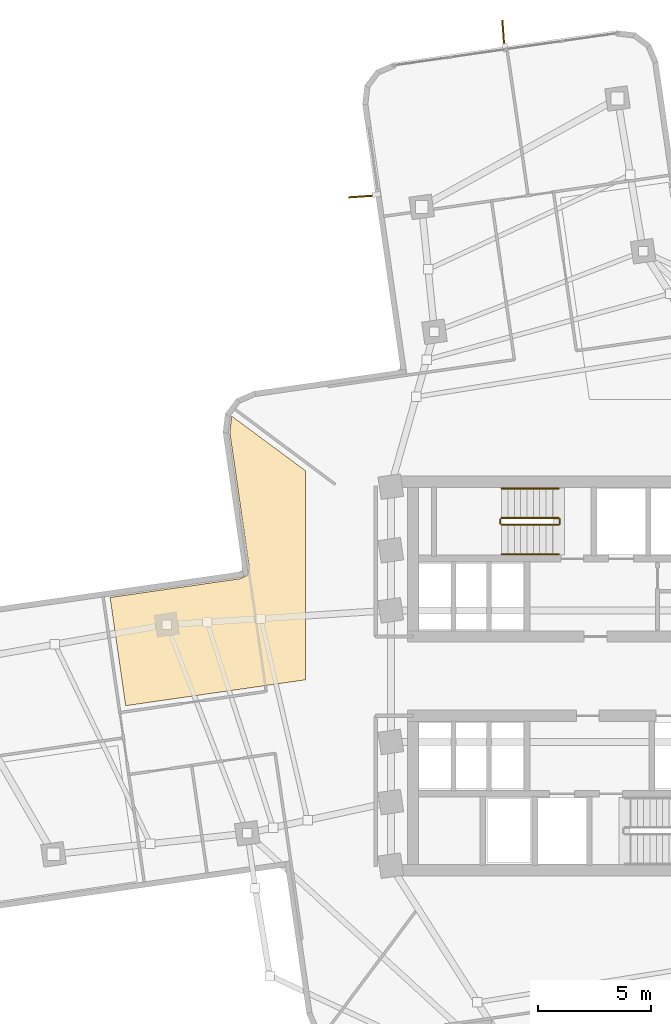
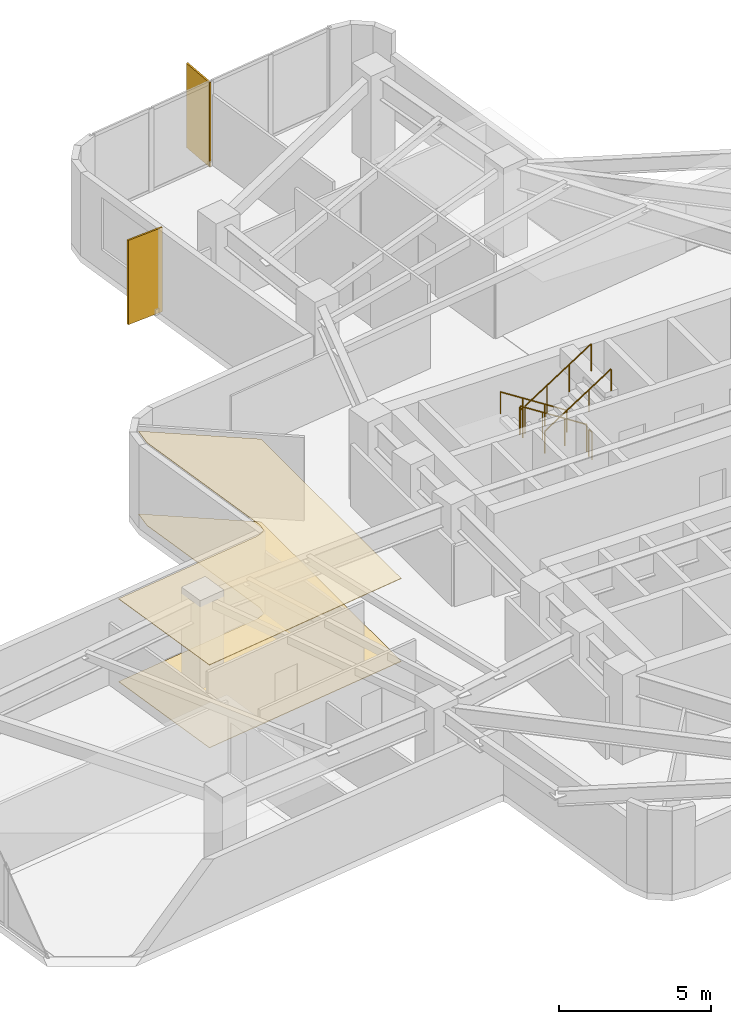
# One storey, part 12 of 13: 6 railings, 2 coverings, 2 shading devices.
"""IFC4 building model written with IfcOpenShell, lengths in metres."""

from ifc_helpers import new_model, si_unit, direction, frame, origin, origin_2d, place, context, subcontext, project, spatial, polyline, rectangle, circle, outline, extrude, material, layer, layer_set, type_object, element, save


model = new_model("IFC4")

# Units and contexts
model_context = context("Model", 3, precision=1e-05, world=origin(), true_north=direction((0.0, 1.0)))
body_context = subcontext(model_context, "Body", "Model", "MODEL_VIEW")
ifc_project = project(units=[si_unit("LENGTHUNIT", "METRE"), si_unit("AREAUNIT", "SQUARE_METRE"), si_unit("VOLUMEUNIT", "CUBIC_METRE"), si_unit("PLANEANGLEUNIT", "RADIAN"), si_unit("MASSUNIT", "GRAM", prefix="KILO")], contexts=[model_context])

# Site, building, storey
site_placement = place(None, origin())
site = spatial("IfcSite", under=ifc_project, at=site_placement, CompositionType="ELEMENT")
building_placement = place(site_placement, origin())
building = spatial("IfcBuilding", under=site, at=building_placement, Name="Solmarez Civic Tower", CompositionType="ELEMENT")
storey_placement = place(building_placement, frame((0.0, 0.0, 89.280029296875)))
storey = spatial("IfcBuildingStorey", under=building, at=storey_placement, Name="L23", CompositionType="ELEMENT", Elevation=89.280029296875)

# Coverings
ifc_material_1 = material(Name="Perforated Mineral-Fibre Acoustic Ceiling")
ifc_layer_1 = layer(ifc_material_1, 0.02490234375)
ifc_layer_set_1 = layer_set([ifc_layer_1], Name="Perforated Mineral-Fibre Acoustic Ceiling")
covering_type_1 = type_object("IfcCoveringType", Name="COV-CEIL-ACOUSTIC", PredefinedType="CEILING", material=ifc_layer_set_1)
covering_1_placement = place(storey_placement, frame((0.0, 0.0, 3.31494140625)))
element("IfcCovering", 1, at=covering_1_placement, inside=storey, type_object=covering_type_1, Name="L23 Suspended Acoustic Ceiling 3", PredefinedType="CEILING", context=body_context, shape_type="SweptSolid", body=[
    extrude(outline(polyline([(-15.1630859375, 4.492919921875), (-15.173095703125, 4.47607421875), (-15.18505859375, 4.4609375), (-15.197998046875, 4.446044921875), (-15.202880859375, 4.44091796875), (-15.218017578125, 4.427978515625), (-15.22412109375, 4.423095703125), (-15.22998046875, 4.41796875), (-15.2490234375, 4.404052734375), (-15.2548828125, 4.39990234375), (-15.27197265625, 4.389892578125), (-15.2900390625, 4.381103515625), (-15.297119140625, 4.3779296875), (-15.455078125, 4.31005859375), (-15.48193359375, 4.300048828125), (-15.491943359375, 4.297119140625), (-15.510986328125, 4.2919921875), (-15.531005859375, 4.2880859375), (-21.221923828125, 3.468994140625), (-20.534912109375, -1.302001953125), (-12.60009765625, -0.158935546875), (-12.60009765625, 9.044921875), (-15.85791015625, 11.455078125), (-15.862060546875, 11.449951171875), (-15.946044921875, 10.74609375), (-15.097900390625, 4.866943359375), (-15.096923828125, 4.85302734375), (-15.094970703125, 4.83203125), (-15.094970703125, 4.81201171875), (-15.097900390625, 4.787109375), (-15.116943359375, 4.617919921875), (-15.123046875, 4.591064453125), (-15.125, 4.5830078125), (-15.1259765625, 4.575927734375), (-15.1279296875, 4.569091796875), (-15.1298828125, 4.56201171875), (-15.138916015625, 4.537109375), (-15.15087890625, 4.512939453125), (-15.155029296875, 4.506103515625), (-15.1630859375, 4.492919921875)])), origin(), (0.0, 0.0, 1.0), 0.025146484375),
])
ifc_material_2 = material(Name="Polished Tropical Stone Terrazzo Flooring", Category="masonry")
ifc_layer_2 = layer(ifc_material_2, 0.02001953125)
ifc_layer_set_2 = layer_set([ifc_layer_2], Name="Polished Tropical Stone Terrazzo Flooring")
covering_type_2 = type_object("IfcCoveringType", Name="COV-FLOOR-TERRAZZO", PredefinedType="FLOORING", material=ifc_layer_set_2)
covering_2_placement = place(storey_placement, origin())
element("IfcCovering", 2, at=covering_2_placement, inside=storey, type_object=covering_type_2, Name="L23 Terrazzo Floor Finish 3", PredefinedType="FLOORING", context=body_context, shape_type="SweptSolid", body=[
    extrude(outline(polyline([(-15.1630859375, 4.492919921875), (-15.173095703125, 4.47607421875), (-15.18505859375, 4.4609375), (-15.197998046875, 4.446044921875), (-15.202880859375, 4.44091796875), (-15.218017578125, 4.427978515625), (-15.22412109375, 4.423095703125), (-15.22998046875, 4.41796875), (-15.2490234375, 4.404052734375), (-15.2548828125, 4.39990234375), (-15.27197265625, 4.389892578125), (-15.2900390625, 4.381103515625), (-15.297119140625, 4.3779296875), (-15.455078125, 4.31005859375), (-15.48193359375, 4.300048828125), (-15.491943359375, 4.297119140625), (-15.510986328125, 4.2919921875), (-15.531005859375, 4.2880859375), (-21.221923828125, 3.468994140625), (-20.534912109375, -1.302001953125), (-12.60009765625, -0.158935546875), (-12.60009765625, 9.044921875), (-15.85791015625, 11.455078125), (-15.862060546875, 11.449951171875), (-15.946044921875, 10.74609375), (-15.097900390625, 4.866943359375), (-15.096923828125, 4.85302734375), (-15.094970703125, 4.83203125), (-15.094970703125, 4.81201171875), (-15.097900390625, 4.787109375), (-15.116943359375, 4.617919921875), (-15.123046875, 4.591064453125), (-15.125, 4.5830078125), (-15.1259765625, 4.575927734375), (-15.1279296875, 4.569091796875), (-15.1298828125, 4.56201171875), (-15.138916015625, 4.537109375), (-15.15087890625, 4.512939453125), (-15.155029296875, 4.506103515625), (-15.1630859375, 4.492919921875)])), origin(), (0.0, 0.0, 1.0), 0.02001953125),
])

# Shading devices
ifc_material_3 = material(Name="Bronze Anodised Aluminium EN AW-6063 T6", Category="aluminium")
ifc_layer_3 = layer(ifc_material_3, 0.06494140625)
ifc_layer_set_3 = layer_set([ifc_layer_3], Name="Bronze Anodised Aluminium EN AW-6063 T6")
shading_device_type = type_object("IfcShadingDeviceType", Name="FIN-BRONZE-Z12", PredefinedType="USERDEFINED", material=ifc_layer_set_3)
for number, where, z_axis, x_axis, name in (
    (3, (-10.02294921875, 21.14697265625, -0.0400390625), (0.0, 0.0, 1.0), (-0.997526162365, -0.0702961976, 0.0), "L23 Anodised Bronze Solar Fin FIN-L23-03"),
    (4, (-3.887939453125, 28.239990234375, -0.0400390625), (0.0, 0.0, 1.0), (-0.0702961976, 0.997526162365, 0.0), "L23 Anodised Bronze Solar Fin FIN-L23-04"),
):
    element("IfcShadingDevice", number, at=place(storey_placement, frame(where, z_axis=z_axis, x_axis=x_axis)), inside=storey, type_object=shading_device_type, Name=name, ObjectType="FIN", PredefinedType="USERDEFINED", context=body_context, shape_type="SweptSolid", body=[
        extrude(rectangle(XDim=1.35009765625, YDim=0.06494140625, at=origin_2d()), origin(), (0.0, 0.0, 1.0), 3.3798828125),
    ])

# Railings
ifc_material_4 = material(Name="Painted Steel Stairwell Safety Guard", Category="steel")
railing_type_1 = type_object("IfcRailingType", Name="GUARD-STAIR-1120", PredefinedType="BALUSTRADE", material=ifc_material_4)
railing_1_placement = place(storey_placement, frame((-1.449951171875, 6.969970703125, 0.179931640625)))
element("IfcRailing", 5, at=railing_1_placement, inside=storey, type_object=railing_type_1, Name="L23 ST-1 stair guard 1", PredefinedType="BALUSTRADE", context=body_context, shape_type="SweptSolid", body=[
    extrude(circle(Radius=0.02392578125, at=origin_2d()), frame((0.0, 0.0, 1.09619140625), z_axis=(-0.841162588446, 0.0, 0.540782303519), x_axis=(0.0, -1.0, 0.0)), (0.0, 0.0, 1.0), 2.995849609375),
    extrude(circle(Radius=0.02099609375, at=origin_2d()), origin(), (0.0, 0.0, 1.0), 1.072021484375),
    extrude(circle(Radius=0.02099609375, at=origin_2d()), frame((-0.840087890625, 0.0, 0.5400390625)), (0.0, 0.0, 1.0), 1.072021484375),
    extrude(circle(Radius=0.02099609375, at=origin_2d()), frame((-1.679931640625, 0.0, 1.080078125)), (0.0, 0.0, 1.0), 1.072021484375),
    extrude(circle(Radius=0.02099609375, at=origin_2d()), frame((-2.52001953125, 0.0, 1.6201171875)), (0.0, 0.0, 1.0), 1.072021484375),
])
railing_2_placement = place(storey_placement, frame((-4.02001953125, 6.919921875, 1.800048828125)))
element("IfcRailing", 6, at=railing_2_placement, inside=storey, type_object=railing_type_1, Name="L23 ST-1 stair guard 2", PredefinedType="BALUSTRADE", context=body_context, shape_type="SweptSolid", body=[
    extrude(circle(Radius=0.02392578125, at=origin_2d()), frame((0.0, 0.0, 1.09619140625), z_axis=(0.0, -1.0, 0.0), x_axis=(1.0, 0.0, 0.0)), (0.0, 0.0, 1.0), 0.199951171875),
    extrude(circle(Radius=0.02099609375, at=origin_2d()), origin(), (0.0, 0.0, 1.0), 1.072021484375),
    extrude(circle(Radius=0.02099609375, at=origin_2d()), frame((0.0, -0.199951171875, 0.0)), (0.0, 0.0, 1.0), 1.072021484375),
])
railing_3_placement = place(storey_placement, frame((-3.969970703125, 6.669921875, 1.97998046875)))
element("IfcRailing", 7, at=railing_3_placement, inside=storey, type_object=railing_type_1, Name="L23 ST-1 stair guard 3", PredefinedType="BALUSTRADE", context=body_context, shape_type="SweptSolid", body=[
    extrude(circle(Radius=0.02392578125, at=origin_2d()), frame((0.0, 0.0, 1.09619140625), z_axis=(0.841199657755, 0.0, 0.540724639528), x_axis=(0.0, 1.0, 0.0)), (0.0, 0.0, 1.0), 2.995849609375),
    extrude(circle(Radius=0.02099609375, at=origin_2d()), origin(), (0.0, 0.0, 1.0), 1.072021484375),
    extrude(circle(Radius=0.02099609375, at=origin_2d()), frame((0.840087890625, 0.0, 0.5400390625)), (0.0, 0.0, 1.0), 1.072021484375),
    extrude(circle(Radius=0.02099609375, at=origin_2d()), frame((1.679931640625, 0.0, 1.079833984375)), (0.0, 0.0, 1.0), 1.072021484375),
    extrude(circle(Radius=0.02099609375, at=origin_2d()), frame((2.52001953125, 0.0, 1.619873046875)), (0.0, 0.0, 1.0), 1.072021484375),
])
railing_4_placement = place(storey_placement, frame((-1.39990234375, 6.919921875, 0.0)))
element("IfcRailing", 8, at=railing_4_placement, inside=storey, type_object=railing_type_1, Name="L23 ST-1 stair guard 4", PredefinedType="BALUSTRADE", context=body_context, shape_type="SweptSolid", body=[
    extrude(circle(Radius=0.02392578125, at=origin_2d()), frame((0.0, 0.0, 1.09619140625), z_axis=(0.0, -1.0, 0.0), x_axis=(1.0, 0.0, 0.0)), (0.0, 0.0, 1.0), 0.199951171875),
    extrude(circle(Radius=0.02099609375, at=origin_2d()), origin(), (0.0, 0.0, 1.0), 1.072021484375),
    extrude(circle(Radius=0.02099609375, at=origin_2d()), frame((0.0, -0.199951171875, 0.0)), (0.0, 0.0, 1.0), 1.072021484375),
])
ifc_material_5 = material(Name="Brushed Stainless Steel Tube Handrail", Category="steel")
railing_type_2 = type_object("IfcRailingType", Name="HANDRAIL-STAIR-900", PredefinedType="HANDRAIL", material=ifc_material_5)
railing_5_placement = place(storey_placement, frame((-1.449951171875, 8.27001953125, 0.179931640625)))
element("IfcRailing", 9, at=railing_5_placement, inside=storey, type_object=railing_type_2, Name="L23 ST-1 stair handrail 1", PredefinedType="HANDRAIL", context=body_context, shape_type="SweptSolid", body=[
    extrude(circle(Radius=0.02392578125, at=origin_2d()), frame((0.0, 0.0, 0.8759765625), z_axis=(-0.841162588446, 0.0, 0.540782303519), x_axis=(0.0, -1.0, 0.0)), (0.0, 0.0, 1.0), 2.995849609375),
    extrude(circle(Radius=0.02099609375, at=origin_2d()), origin(), (0.0, 0.0, 1.0), 0.851806640625),
    extrude(circle(Radius=0.02099609375, at=origin_2d()), frame((-0.840087890625, 0.0, 0.5400390625)), (0.0, 0.0, 1.0), 0.851806640625),
    extrude(circle(Radius=0.02099609375, at=origin_2d()), frame((-1.679931640625, 0.0, 1.080078125)), (0.0, 0.0, 1.0), 0.851806640625),
    extrude(circle(Radius=0.02099609375, at=origin_2d()), frame((-2.52001953125, 0.0, 1.6201171875)), (0.0, 0.0, 1.0), 0.851806640625),
])
railing_6_placement = place(storey_placement, frame((-3.969970703125, 5.3701171875, 1.97998046875)))
element("IfcRailing", 10, at=railing_6_placement, inside=storey, type_object=railing_type_2, Name="L23 ST-1 stair handrail 2", PredefinedType="HANDRAIL", context=body_context, shape_type="SweptSolid", body=[
    extrude(circle(Radius=0.02392578125, at=origin_2d()), frame((0.0, 0.0, 0.8759765625), z_axis=(0.841199657755, 0.0, 0.540724639528), x_axis=(0.0, 1.0, 0.0)), (0.0, 0.0, 1.0), 2.995849609375),
    extrude(circle(Radius=0.02099609375, at=origin_2d()), origin(), (0.0, 0.0, 1.0), 0.851806640625),
    extrude(circle(Radius=0.02099609375, at=origin_2d()), frame((0.840087890625, 0.0, 0.5400390625)), (0.0, 0.0, 1.0), 0.851806640625),
    extrude(circle(Radius=0.02099609375, at=origin_2d()), frame((1.679931640625, 0.0, 1.079833984375)), (0.0, 0.0, 1.0), 0.851806640625),
    extrude(circle(Radius=0.02099609375, at=origin_2d()), frame((2.52001953125, 0.0, 1.619873046875)), (0.0, 0.0, 1.0), 0.851806640625),
])

save(model, "model.ifc")
